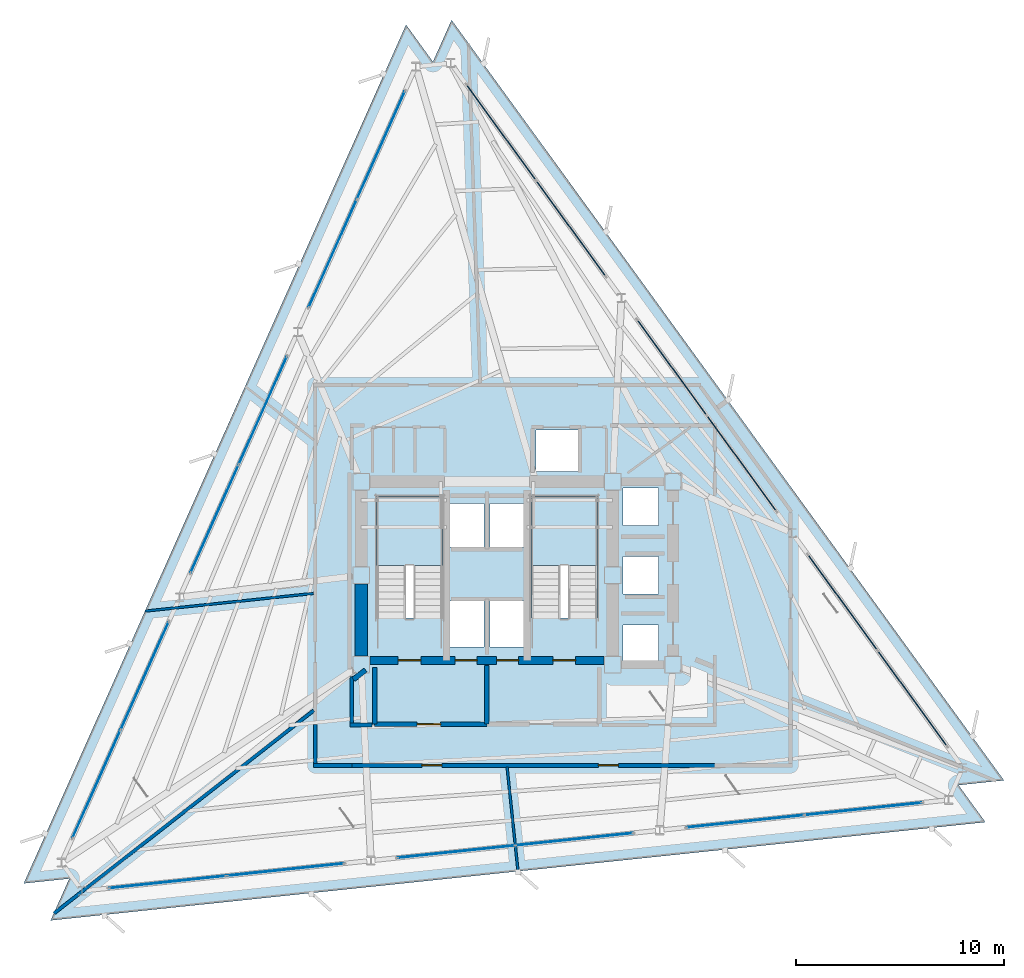
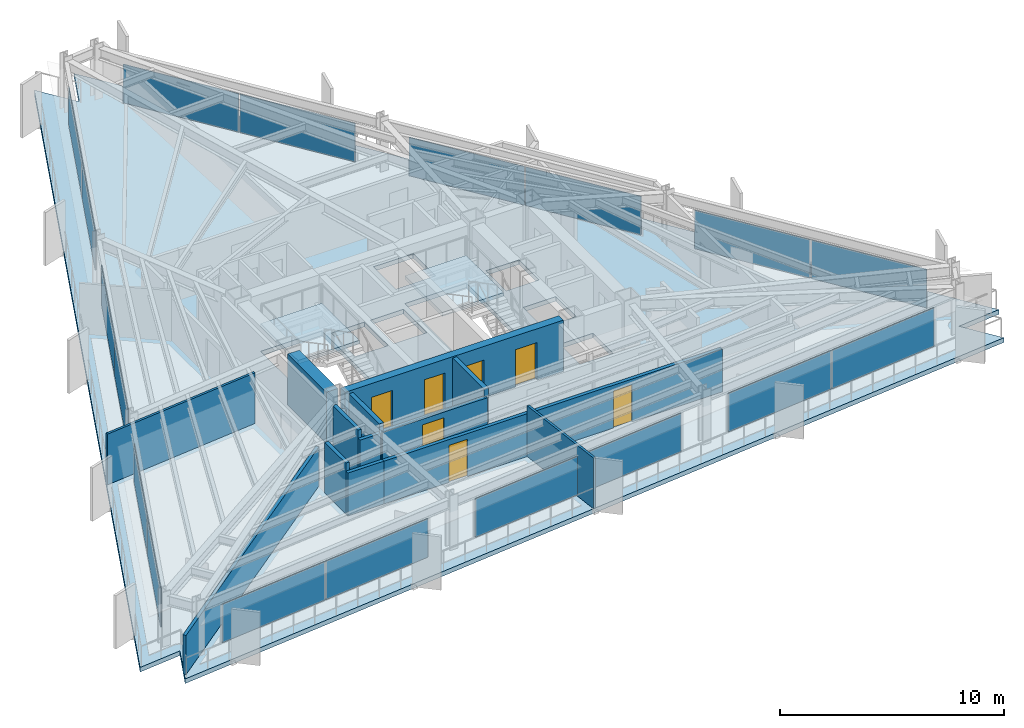
# One storey, part 7 of 12: 18 plates, 14 walls, 7 doors, 3 slabs, 7 openings, 11 elements without a shape of their own.
"""IFC4 building model written with IfcOpenShell, lengths in metres."""

import ifcopenshell
import ifcopenshell.guid

model = None  # the IFC model being written
_history = None  # IfcOwnerHistory: only IFC2X3 demands one
_inside = {}  # id of a spatial element -> (the spatial element, [elements in it])
_under = {}  # id of a project, library or spatial element -> (it, [spatial elements below it])
_declared = {}  # id of a project -> (the project, [libraries it declares])
_typed = {}  # id of a type object -> (the type object, [elements of that type])
_made_of = {}  # id of a material, layer set ... -> (it, [elements and type objects made of it])


def new_model(schema):
    """Start an empty IFC model of exactly this schema.

    Asked for "IFC4X3", IfcOpenShell would pick the latest addendum, in which some entities
    have other attributes; the version numbers below select the first issue.
    IFC2X3 requires an IfcOwnerHistory on every rooted entity: one is made here for all.
    """
    global model, _history
    if schema == "IFC4X3":
        model = ifcopenshell.file(schema_version=(4, 3, 0, 0))
    else:
        model = ifcopenshell.file(schema=schema)
    _inside.clear()
    _under.clear()
    _declared.clear()
    _typed.clear()
    _made_of.clear()
    _history = None
    if model.schema == "IFC2X3":
        org = make("IfcOrganization", Name="unknown")
        user = make(
            "IfcPersonAndOrganization",
            ThePerson=make("IfcPerson", FamilyName="unknown"),
            TheOrganization=org,
        )
        app = make(
            "IfcApplication",
            ApplicationDeveloper=org,
            Version="unknown",
            ApplicationFullName="unknown",
            ApplicationIdentifier="unknown",
        )
        _history = make(
            "IfcOwnerHistory",
            OwningUser=user,
            OwningApplication=app,
            ChangeAction="ADDED",
            CreationDate=0,
        )
    return model


def make(cls, **values):
    """One entity of the class cls with the attributes given. An attribute that is None is left unset."""
    return model.create_entity(
        cls, **{name: value for name, value in values.items() if value is not None}
    )


def rooted(cls, **values):
    """An entity with a GlobalId (a new one), such as an element, a storey or a relation."""
    return make(cls, GlobalId=ifcopenshell.guid.new(), OwnerHistory=_history, **values)


def si_unit(unit_type, name, prefix=None):
    """IfcSIUnit, for example si_unit("LENGTHUNIT", "METRE", prefix="MILLI")."""
    return make("IfcSIUnit", UnitType=unit_type, Prefix=prefix, Name=name)


def assignment(units):
    """IfcUnitAssignment: the units of a project."""
    return None if units is None else make("IfcUnitAssignment", Units=units)


def point(xyz):
    """IfcCartesianPoint."""
    return None if xyz is None else make("IfcCartesianPoint", Coordinates=xyz)


def direction(xyz):
    """IfcDirection."""
    return None if xyz is None else make("IfcDirection", DirectionRatios=xyz)


def frame(location, z_axis=None, x_axis=None):
    """IfcAxis2Placement3D, a coordinate frame: its origin and axes. An axis left out is left unset."""
    return make(
        "IfcAxis2Placement3D",
        Location=point(location),
        Axis=direction(z_axis),
        RefDirection=direction(x_axis),
    )


def frame_2d(location, x_axis=None):
    """IfcAxis2Placement2D, a coordinate frame in the plane: its origin and x axis."""
    return make(
        "IfcAxis2Placement2D", Location=point(location), RefDirection=direction(x_axis)
    )


def origin():
    """The frame at (0, 0, 0) with its axes left unset."""
    return frame((0.0, 0.0, 0.0))


def origin_2d():
    """The frame at (0, 0) in the plane with its x axis left unset."""
    return frame_2d((0.0, 0.0))


def place(relative_to, where):
    """IfcLocalPlacement: puts the frame where relative to a parent placement (None: the world)."""
    return make(
        "IfcLocalPlacement", PlacementRelTo=relative_to, RelativePlacement=where
    )


def context(
    kind, dimensions, precision=None, world=None, true_north=None, identifier=None
):
    """IfcGeometricRepresentationContext, for example the 3D "Model" context."""
    return make(
        "IfcGeometricRepresentationContext",
        ContextIdentifier=identifier,
        ContextType=kind,
        CoordinateSpaceDimension=dimensions,
        Precision=precision,
        WorldCoordinateSystem=world,
        TrueNorth=true_north,
    )


def subcontext(parent, identifier, kind, view, scale=None):
    """IfcGeometricRepresentationSubContext, for example "Body" below "Model"."""
    return make(
        "IfcGeometricRepresentationSubContext",
        ContextIdentifier=identifier,
        ContextType=kind,
        ParentContext=parent,
        TargetScale=scale,
        TargetView=view,
    )


def project(units=None, contexts=None):
    """IfcProject with its units and contexts."""
    return rooted(
        "IfcProject",
        Name="project",
        RepresentationContexts=contexts,
        UnitsInContext=assignment(units),
    )


def spatial(cls, under=None, at=None, **own):
    """A site, building, storey or space (cls), placed at a placement, below another one or the project."""
    s = rooted(cls, ObjectPlacement=at, **own)
    if under is not None:
        _under.setdefault(under.id(), (under, []))[1].append(s)
    return s


def polyline(points):
    """IfcPolyline through the points."""
    return make("IfcPolyline", Points=[point(p) for p in points])


def profile(cls, at=None, kind="AREA", **sizes):
    """A parametric profile (cls). Its sizes go by their IFC names, for example OverallWidth=200.0."""
    return make(cls, ProfileType=kind, Position=at, **sizes)


def rectangle(**sizes):
    """IfcRectangleProfileDef."""
    return profile("IfcRectangleProfileDef", **sizes)


def outline(outer, holes=None, kind="AREA"):
    """IfcArbitraryClosedProfileDef: a profile drawn as a closed curve; with holes, ...WithVoids."""
    if holes is None:
        return make("IfcArbitraryClosedProfileDef", ProfileType=kind, OuterCurve=outer)
    return make(
        "IfcArbitraryProfileDefWithVoids",
        ProfileType=kind,
        OuterCurve=outer,
        InnerCurves=holes,
    )


def extrude(swept, where, along, depth):
    """IfcExtrudedAreaSolid: the profile swept, set in the frame where, extruded along a direction by depth."""
    return make(
        "IfcExtrudedAreaSolid",
        SweptArea=swept,
        Position=where,
        ExtrudedDirection=direction(along),
        Depth=depth,
    )


def shape(context_of_items, identifier, shape_type, items):
    """IfcShapeRepresentation: the items that make up one representation, for example the "Body"."""
    return make(
        "IfcShapeRepresentation",
        ContextOfItems=context_of_items,
        RepresentationIdentifier=identifier,
        RepresentationType=shape_type,
        Items=items,
    )


def material(Name=None, Category=None):
    """IfcMaterial."""
    return make("IfcMaterial", Name=Name, Category=Category)


def layer(
    of_material, thickness, ventilated=None, Name=None, Category=None, Priority=None
):
    """IfcMaterialLayer: one layer of a wall or slab, of a material (None: an air gap)."""
    return make(
        "IfcMaterialLayer",
        Material=of_material,
        LayerThickness=thickness,
        IsVentilated=ventilated,
        Name=Name,
        Category=Category,
        Priority=Priority,
    )


def layer_set(layers, Name=None):
    """IfcMaterialLayerSet."""
    return make("IfcMaterialLayerSet", MaterialLayers=layers, LayerSetName=Name)


def made_of(thing, what):
    """Note that an element or type object is made of a material, layer set ...; save() writes the relation."""
    if what is not None:
        _made_of.setdefault(what.id(), (what, []))[1].append(thing)
    return thing


def type_object(cls, material=None, **own):
    """A type object (cls), such as IfcWallType, which elements share."""
    return made_of(rooted(cls, **own), material)


def element(
    cls,
    number,
    at=None,
    inside=None,
    cuts=None,
    type_object=None,
    material=None,
    context=None,
    identifier="Body",
    shape_type=None,
    held_by="IfcProductDefinitionShape",
    body=None,
    shapes=None,
    **own,
):
    """One element of the class cls, such as IfcWall. Its Tag is "e" and its number.

    at: its placement. inside: the storey or other place that contains it. cuts: it is an
    opening in that element (IfcRelVoidsElement). A single representation is given by context,
    identifier, shape_type and body (its items); several are given by shapes. held_by: the class
    of the entity that holds the representations. save() writes the other relations.
    """
    e = rooted(cls, Tag="e%d" % number, ObjectPlacement=at, **own)
    if body is not None:
        shapes = [shape(context, identifier, shape_type, body)]
    if shapes is not None:
        e.Representation = make(held_by, Representations=shapes)
    if inside is not None:
        _inside.setdefault(inside.id(), (inside, []))[1].append(e)
    if cuts is not None:
        rooted(
            "IfcRelVoidsElement", RelatingBuildingElement=cuts, RelatedOpeningElement=e
        )
    if type_object is not None:
        _typed.setdefault(type_object.id(), (type_object, []))[1].append(e)
    return made_of(e, material)


def fill(opening, filler):
    """IfcRelFillsElement: the door or window that sits in an opening."""
    return rooted(
        "IfcRelFillsElement",
        RelatingOpeningElement=opening,
        RelatedBuildingElement=filler,
    )


def aggregate(whole, parts):
    """IfcRelAggregates: a whole, such as a stair, and the parts it consists of."""
    return rooted("IfcRelAggregates", RelatingObject=whole, RelatedObjects=parts)


def save(model, path):
    """Write the relations noted so far, then the file.

    IfcRelAggregates (storeys below a building ...), IfcRelContainedInSpatialStructure (elements
    in a storey), IfcRelDefinesByType, IfcRelAssociatesMaterial and IfcRelDeclares: one each for
    every whole, place, type object, material and project.
    """
    for whole, parts in _under.values():
        aggregate(whole, parts)
    for where, things in _inside.values():
        rooted(
            "IfcRelContainedInSpatialStructure",
            RelatedElements=things,
            RelatingStructure=where,
        )
    for kind, things in _typed.values():
        rooted("IfcRelDefinesByType", RelatedObjects=things, RelatingType=kind)
    for what, things in _made_of.values():
        rooted("IfcRelAssociatesMaterial", RelatedObjects=things, RelatingMaterial=what)
    for by, libraries in _declared.values():
        rooted("IfcRelDeclares", RelatingContext=by, RelatedDefinitions=libraries)
    model.write(path)


model = new_model("IFC4")

# Units and contexts
model_context = context("Model", 3, precision=1e-05, world=origin(), true_north=direction((0.0, 1.0)))
body_context = subcontext(model_context, "Body", "Model", "MODEL_VIEW")
ifc_project = project(units=[si_unit("LENGTHUNIT", "METRE"), si_unit("AREAUNIT", "SQUARE_METRE"), si_unit("VOLUMEUNIT", "CUBIC_METRE"), si_unit("PLANEANGLEUNIT", "RADIAN"), si_unit("MASSUNIT", "GRAM", prefix="KILO")], contexts=[model_context])

# Site, building, storey
site_placement = place(None, origin())
site = spatial("IfcSite", under=ifc_project, at=site_placement, CompositionType="ELEMENT")
building_placement = place(site_placement, origin())
building = spatial("IfcBuilding", under=site, at=building_placement, Name="Rocaltana Carrier Exchange", CompositionType="ELEMENT")
storey_placement = place(building_placement, frame((0.0, 0.0, 107.679931640625)))
storey = spatial("IfcBuildingStorey", under=building, at=storey_placement, Name="L33", CompositionType="ELEMENT", Elevation=107.679931640625)

# Curtain wall, plates
ifc_material_1 = material(Name="Aluminium 6063-T6", Category="aluminium")
ifc_layer_1 = layer(ifc_material_1, 0.14990234375)
ifc_layer_set_1 = layer_set([ifc_layer_1], Name="Aluminium 6063-T6")
curtain_wall_type = type_object("IfcCurtainWallType", Name="Mid-Tower Unitised Curtain Wall CW-03", PredefinedType="NOTDEFINED", material=ifc_layer_set_1)
curtain_wall_1_placement = place(storey_placement, origin())
curtain_wall_1 = element("IfcCurtainWall", 1, at=curtain_wall_1_placement, inside=storey, type_object=curtain_wall_type, Name="L33 CW-03 Run CW-L33-F1S1", PredefinedType="NOTDEFINED")
ifc_material_2 = material(Name="Tempered Laminated Glass", Category="glass")
ifc_layer_2 = layer(ifc_material_2, 0.0400390625)
ifc_layer_set_2 = layer_set([ifc_layer_2], Name="Tempered Laminated Glass")
plate_type = type_object("IfcPlateType", Name="CW-03 Stone-Insulated Vision Panel", PredefinedType="CURTAIN_PANEL", material=ifc_layer_set_2)
plate_1_placement = place(storey_placement, frame((20.4580078125, -5.925048828125, 0.06005859375), z_axis=(0.0, 0.0, 1.0), x_axis=(-0.587789985889, 0.809013555195, 0.0)))
plate_1 = element("IfcPlate", 2, at=plate_1_placement, type_object=plate_type, Name="CW-03 panel 1.1", PredefinedType="CURTAIN_PANEL", context=body_context, shape_type="SweptSolid", body=[
    extrude(rectangle(XDim=5.643310546875, YDim=0.0400390625, at=origin_2d()), origin(), (0.0, 0.0, 1.0), 2.097900390625),
])
plate_2_placement = place(storey_placement, frame((17.105712890625, -1.310791015625, 0.06005859375), z_axis=(0.0, 0.0, 1.0), x_axis=(-0.587789985889, 0.809013555195, 0.0)))
plate_2 = element("IfcPlate", 3, at=plate_2_placement, type_object=plate_type, Name="CW-03 panel 2.1", PredefinedType="CURTAIN_PANEL", context=body_context, shape_type="SweptSolid", body=[
    extrude(rectangle(XDim=5.643310546875, YDim=0.0400390625, at=origin_2d()), origin(), (0.0, 0.0, 1.0), 2.097900390625),
])
aggregate(curtain_wall_1, [plate_1, plate_2])

curtain_wall_2_placement = place(storey_placement, origin())
curtain_wall_2 = element("IfcCurtainWall", 4, at=curtain_wall_2_placement, inside=storey, type_object=curtain_wall_type, Name="L33 CW-03 Run CW-L33-F1S2", PredefinedType="NOTDEFINED")
plate_3_placement = place(storey_placement, frame((12.248779296875, 5.374267578125, 0.06005859375), z_axis=(0.0, 0.0, 1.0), x_axis=(-0.587789985889, 0.809013555195, 0.0)))
plate_3 = element("IfcPlate", 5, at=plate_3_placement, type_object=plate_type, Name="CW-03 panel 1.1", PredefinedType="CURTAIN_PANEL", context=body_context, shape_type="SweptSolid", body=[
    extrude(rectangle(XDim=5.643310546875, YDim=0.0400390625, at=origin_2d()), origin(), (0.0, 0.0, 1.0), 2.097900390625),
])
plate_4_placement = place(storey_placement, frame((8.896240234375, 9.98828125, 0.06005859375), z_axis=(0.0, 0.0, 1.0), x_axis=(-0.587789985889, 0.809013555195, 0.0)))
plate_4 = element("IfcPlate", 6, at=plate_4_placement, type_object=plate_type, Name="CW-03 panel 2.1", PredefinedType="CURTAIN_PANEL", context=body_context, shape_type="SweptSolid", body=[
    extrude(rectangle(XDim=5.643310546875, YDim=0.0400390625, at=origin_2d()), origin(), (0.0, 0.0, 1.0), 2.097900390625),
])
aggregate(curtain_wall_2, [plate_3, plate_4])

curtain_wall_3_placement = place(storey_placement, origin())
curtain_wall_3 = element("IfcCurtainWall", 7, at=curtain_wall_3_placement, inside=storey, type_object=curtain_wall_type, Name="L33 CW-03 Run CW-L33-F1S3", PredefinedType="NOTDEFINED")
plate_5_placement = place(storey_placement, frame((4.039306640625, 16.673583984375, 0.06005859375), z_axis=(0.0, 0.0, 1.0), x_axis=(-0.587789985889, 0.809013555195, 0.0)))
plate_5 = element("IfcPlate", 8, at=plate_5_placement, type_object=plate_type, Name="CW-03 panel 1.1", PredefinedType="CURTAIN_PANEL", context=body_context, shape_type="SweptSolid", body=[
    extrude(rectangle(XDim=5.643310546875, YDim=0.0400390625, at=origin_2d()), origin(), (0.0, 0.0, 1.0), 2.097900390625),
])
plate_6_placement = place(storey_placement, frame((0.68701171875, 21.28759765625, 0.06005859375), z_axis=(0.0, 0.0, 1.0), x_axis=(-0.587789985889, 0.809013555195, 0.0)))
plate_6 = element("IfcPlate", 9, at=plate_6_placement, type_object=plate_type, Name="CW-03 panel 2.1", PredefinedType="CURTAIN_PANEL", context=body_context, shape_type="SweptSolid", body=[
    extrude(rectangle(XDim=5.643310546875, YDim=0.0400390625, at=origin_2d()), origin(), (0.0, 0.0, 1.0), 2.097900390625),
])
aggregate(curtain_wall_3, [plate_5, plate_6])

curtain_wall_4_placement = place(storey_placement, origin())
curtain_wall_4 = element("IfcCurtainWall", 10, at=curtain_wall_4_placement, inside=storey, type_object=curtain_wall_type, Name="L33 CW-03 Run CW-L33-F2S1", PredefinedType="NOTDEFINED")
plate_7_placement = place(storey_placement, frame((-5.097900390625, 20.6796875, 0.06005859375), z_axis=(0.0, 0.0, 1.0), x_axis=(-0.406740386206, -0.913543791084, 0.0)))
plate_7 = element("IfcPlate", 11, at=plate_7_placement, type_object=plate_type, Name="CW-03 panel 1.1", PredefinedType="CURTAIN_PANEL", context=body_context, shape_type="SweptSolid", body=[
    extrude(rectangle(XDim=5.643310546875, YDim=0.0400390625, at=origin_2d()), origin(), (0.0, 0.0, 1.0), 2.097900390625),
])
plate_8_placement = place(storey_placement, frame((-7.41748046875, 15.46923828125, 0.06005859375), z_axis=(0.0, 0.0, 1.0), x_axis=(-0.406740386206, -0.913543791084, 0.0)))
plate_8 = element("IfcPlate", 12, at=plate_8_placement, type_object=plate_type, Name="CW-03 panel 2.1", PredefinedType="CURTAIN_PANEL", context=body_context, shape_type="SweptSolid", body=[
    extrude(rectangle(XDim=5.643310546875, YDim=0.0400390625, at=origin_2d()), origin(), (0.0, 0.0, 1.0), 2.097900390625),
])
aggregate(curtain_wall_4, [plate_7, plate_8])

curtain_wall_5_placement = place(storey_placement, origin())
curtain_wall_5 = element("IfcCurtainWall", 13, at=curtain_wall_5_placement, inside=storey, type_object=curtain_wall_type, Name="L33 CW-03 Run CW-L33-F2S2", PredefinedType="NOTDEFINED")
plate_9_placement = place(storey_placement, frame((-10.778564453125, 7.92041015625, 0.06005859375), z_axis=(0.0, 0.0, 1.0), x_axis=(-0.406743626669, -0.913542348315, 0.0)))
plate_9 = element("IfcPlate", 14, at=plate_9_placement, type_object=plate_type, Name="CW-03 panel 1.1", PredefinedType="CURTAIN_PANEL", context=body_context, shape_type="SweptSolid", body=[
    extrude(rectangle(XDim=5.643310546875, YDim=0.0400390625, at=origin_2d()), origin(), (0.0, 0.0, 1.0), 2.097900390625),
])
plate_10_placement = place(storey_placement, frame((-13.098388671875, 2.710205078125, 0.06005859375), z_axis=(0.0, 0.0, 1.0), x_axis=(-0.406743626669, -0.913542348315, 0.0)))
plate_10 = element("IfcPlate", 15, at=plate_10_placement, type_object=plate_type, Name="CW-03 panel 2.1", PredefinedType="CURTAIN_PANEL", context=body_context, shape_type="SweptSolid", body=[
    extrude(rectangle(XDim=5.643310546875, YDim=0.0400390625, at=origin_2d()), origin(), (0.0, 0.0, 1.0), 2.097900390625),
])
aggregate(curtain_wall_5, [plate_9, plate_10])

curtain_wall_6_placement = place(storey_placement, origin())
curtain_wall_6 = element("IfcCurtainWall", 16, at=curtain_wall_6_placement, inside=storey, type_object=curtain_wall_type, Name="L33 CW-03 Run CW-L33-F2S3", PredefinedType="NOTDEFINED")
plate_11_placement = place(storey_placement, frame((-16.45947265625, -4.838623046875, 0.06005859375), z_axis=(0.0, 0.0, 1.0), x_axis=(-0.406733108077, -0.913547031517, 0.0)))
plate_11 = element("IfcPlate", 17, at=plate_11_placement, type_object=plate_type, Name="CW-03 panel 1.1", PredefinedType="CURTAIN_PANEL", context=body_context, shape_type="SweptSolid", body=[
    extrude(rectangle(XDim=5.643310546875, YDim=0.0400390625, at=origin_2d()), origin(), (0.0, 0.0, 1.0), 2.097900390625),
])
plate_12_placement = place(storey_placement, frame((-18.779052734375, -10.048828125, 0.06005859375), z_axis=(0.0, 0.0, 1.0), x_axis=(-0.406733108077, -0.913547031517, 0.0)))
plate_12 = element("IfcPlate", 18, at=plate_12_placement, type_object=plate_type, Name="CW-03 panel 2.1", PredefinedType="CURTAIN_PANEL", context=body_context, shape_type="SweptSolid", body=[
    extrude(rectangle(XDim=5.643310546875, YDim=0.0400390625, at=origin_2d()), origin(), (0.0, 0.0, 1.0), 2.097900390625),
])
aggregate(curtain_wall_6, [plate_11, plate_12])

curtain_wall_7_placement = place(storey_placement, origin())
curtain_wall_7 = element("IfcCurtainWall", 19, at=curtain_wall_7_placement, inside=storey, type_object=curtain_wall_type, Name="L33 CW-03 Run CW-L33-F3S1", PredefinedType="NOTDEFINED")
plate_13_placement = place(storey_placement, frame((-15.360107421875, -14.754638671875, 0.06005859375), z_axis=(0.0, 0.0, 1.0), x_axis=(0.994522594952, 0.104521806959, 0.0)))
plate_13 = element("IfcPlate", 20, at=plate_13_placement, type_object=plate_type, Name="CW-03 panel 1.1", PredefinedType="CURTAIN_PANEL", context=body_context, shape_type="SweptSolid", body=[
    extrude(rectangle(XDim=5.643310546875, YDim=0.0400390625, at=origin_2d()), origin(), (0.0, 0.0, 1.0), 2.097900390625),
])
plate_14_placement = place(storey_placement, frame((-9.688232421875, -14.15869140625, 0.06005859375), z_axis=(0.0, 0.0, 1.0), x_axis=(0.994522594952, 0.104521806959, 0.0)))
plate_14 = element("IfcPlate", 21, at=plate_14_placement, type_object=plate_type, Name="CW-03 panel 2.1", PredefinedType="CURTAIN_PANEL", context=body_context, shape_type="SweptSolid", body=[
    extrude(rectangle(XDim=5.643310546875, YDim=0.0400390625, at=origin_2d()), origin(), (0.0, 0.0, 1.0), 2.097900390625),
])
aggregate(curtain_wall_7, [plate_13, plate_14])

curtain_wall_8_placement = place(storey_placement, origin())
curtain_wall_8 = element("IfcCurtainWall", 22, at=curtain_wall_8_placement, inside=storey, type_object=curtain_wall_type, Name="L33 CW-03 Run CW-L33-F3S2", PredefinedType="NOTDEFINED")
plate_15_placement = place(storey_placement, frame((-1.469970703125, -13.294677734375, 0.06005859375), z_axis=(0.0, 0.0, 1.0), x_axis=(0.994521783658, 0.104529526113, 0.0)))
plate_15 = element("IfcPlate", 23, at=plate_15_placement, type_object=plate_type, Name="CW-03 panel 1.1", PredefinedType="CURTAIN_PANEL", context=body_context, shape_type="SweptSolid", body=[
    extrude(rectangle(XDim=5.643310546875, YDim=0.0400390625, at=origin_2d()), origin(), (0.0, 0.0, 1.0), 2.097900390625),
])
plate_16_placement = place(storey_placement, frame((4.2021484375, -12.69873046875, 0.06005859375), z_axis=(0.0, 0.0, 1.0), x_axis=(0.994521783658, 0.104529526113, 0.0)))
plate_16 = element("IfcPlate", 24, at=plate_16_placement, type_object=plate_type, Name="CW-03 panel 2.1", PredefinedType="CURTAIN_PANEL", context=body_context, shape_type="SweptSolid", body=[
    extrude(rectangle(XDim=5.643310546875, YDim=0.0400390625, at=origin_2d()), origin(), (0.0, 0.0, 1.0), 2.097900390625),
])
aggregate(curtain_wall_8, [plate_15, plate_16])

curtain_wall_9_placement = place(storey_placement, origin())
curtain_wall_9 = element("IfcCurtainWall", 25, at=curtain_wall_9_placement, inside=storey, type_object=curtain_wall_type, Name="L33 CW-03 Run CW-L33-F3S3", PredefinedType="NOTDEFINED")
plate_17_placement = place(storey_placement, frame((12.420166015625, -11.834716796875, 0.06005859375), z_axis=(0.0, 0.0, 1.0), x_axis=(0.994522594952, 0.104521806959, 0.0)))
plate_17 = element("IfcPlate", 26, at=plate_17_placement, type_object=plate_type, Name="CW-03 panel 1.1", PredefinedType="CURTAIN_PANEL", context=body_context, shape_type="SweptSolid", body=[
    extrude(rectangle(XDim=5.643310546875, YDim=0.0400390625, at=origin_2d()), origin(), (0.0, 0.0, 1.0), 2.097900390625),
])
plate_18_placement = place(storey_placement, frame((18.092041015625, -11.23876953125, 0.06005859375), z_axis=(0.0, 0.0, 1.0), x_axis=(0.994522594952, 0.104521806959, 0.0)))
plate_18 = element("IfcPlate", 27, at=plate_18_placement, type_object=plate_type, Name="CW-03 panel 2.1", PredefinedType="CURTAIN_PANEL", context=body_context, shape_type="SweptSolid", body=[
    extrude(rectangle(XDim=5.643310546875, YDim=0.0400390625, at=origin_2d()), origin(), (0.0, 0.0, 1.0), 2.097900390625),
])
aggregate(curtain_wall_9, [plate_17, plate_18])

# Slab
ifc_material_3 = material(Name="Concrete C50/60", Category="concrete")
ifc_layer_3 = layer(ifc_material_3, 0.25)
ifc_layer_set_3 = layer_set([ifc_layer_3], Name="Concrete C50/60")
slab_type_1 = type_object("IfcSlabType", Name="Mid-Zone Tower Slab 250", PredefinedType="FLOOR", material=ifc_layer_set_3)
slab_1_placement = place(storey_placement, frame((0.0, 0.0, -0.25)))
element("IfcSlab", 28, at=slab_1_placement, inside=storey, type_object=slab_type_1, Name="L33 Structural Floor Slab", PredefinedType="FLOOR", context=body_context, shape_type="SweptSolid", body=[
    extrude(outline(polyline([(23.972900390625, -11.87744140625), (22.6796875, -10.09765625), (24.86767578125, -9.86767578125), (-1.7001953125, 26.699951171875), (-2.594970703125, 24.690185546875), (-3.88818359375, 26.469970703125), (-22.272705078125, -14.822509765625), (-20.084716796875, -14.59228515625), (-20.9794921875, -16.602294921875), (23.972900390625, -11.87744140625)]), holes=[polyline([(-5.300048828125, -2.06005859375), (-2.139892578125, -2.06005859375), (-2.139892578125, 3.800048828125), (-5.300048828125, 3.800048828125), (-5.300048828125, -2.06005859375)]), polyline([(2.139892578125, -2.06005859375), (5.300048828125, -2.06005859375), (5.300048828125, 3.800048828125), (2.139892578125, 3.800048828125), (2.139892578125, -2.06005859375)]), polyline([(-1.85009765625, -3.449951171875), (-0.14990234375, -3.449951171875), (-0.14990234375, -1.25), (-1.85009765625, -1.25), (-1.85009765625, -3.449951171875)]), polyline([(0.14990234375, -3.449951171875), (1.85009765625, -3.449951171875), (1.85009765625, -1.25), (0.14990234375, -1.25), (0.14990234375, -3.449951171875)]), polyline([(2.35009765625, 4.97998046875), (4.39990234375, 4.97998046875), (4.39990234375, 6.97998046875), (2.35009765625, 6.97998046875), (2.35009765625, 4.97998046875)]), polyline([(-1.85009765625, 1.35009765625), (-0.14990234375, 1.35009765625), (-0.14990234375, 3.449951171875), (-1.85009765625, 3.449951171875), (-1.85009765625, 1.35009765625)]), polyline([(0.14990234375, 1.35009765625), (1.85009765625, 1.35009765625), (1.85009765625, 3.449951171875), (0.14990234375, 3.449951171875), (0.14990234375, 1.35009765625)]), polyline([(6.550048828125, -4.199951171875), (8.25, -4.199951171875), (8.25, -2.39990234375), (6.550048828125, -2.39990234375), (6.550048828125, -4.199951171875)]), polyline([(6.550048828125, -0.89990234375), (8.25, -0.89990234375), (8.25, 0.89990234375), (6.550048828125, 0.89990234375), (6.550048828125, -0.89990234375)]), polyline([(6.550048828125, 2.39990234375), (8.25, 2.39990234375), (8.25, 4.199951171875), (6.550048828125, 4.199951171875), (6.550048828125, 2.39990234375)])]), origin(), (0.0, 0.0, 1.0), 0.25),
])

# Stair, slab
ifc_material_4 = material(Name="Precast concrete C45/55", Category="concrete")
stair_type = type_object("IfcStairType", Name="Standard Dog-Leg Stair 160", PredefinedType="HALF_TURN_STAIR", material=ifc_material_4)
stair_1_placement = place(storey_placement, origin())
stair_1 = element("IfcStair", 29, at=stair_1_placement, inside=storey, type_object=stair_type, Name="L33 Core West Exit Stair ST-1", PredefinedType="HALF_TURN_STAIR")
ifc_material_5 = material(Name="Precast concrete C45/55", Category="concrete")
ifc_layer_4 = layer(ifc_material_5, 0.199951171875)
ifc_layer_set_4 = layer_set([ifc_layer_4], Name="Precast concrete C45/55")
slab_type_2 = type_object("IfcSlabType", Name="Precast Stair Half-Landing 200", PredefinedType="LANDING", material=ifc_layer_set_4)
slab_2_placement = place(storey_placement, frame((0.0, 0.0, 1.320068359375)))
slab_2 = element("IfcSlab", 30, at=slab_2_placement, type_object=slab_type_2, Name="ST-1 landing 1", PredefinedType="LANDING", context=body_context, shape_type="SweptSolid", body=[
    extrude(outline(polyline([(-2.139892578125, 0.4599609375), (-2.139892578125, 3.800048828125), (-5.300048828125, 3.800048828125), (-5.300048828125, 0.4599609375), (-2.139892578125, 0.4599609375)])), origin(), (0.0, 0.0, 1.0), 0.199951171875),
])
aggregate(stair_1, [slab_2])

stair_2_placement = place(storey_placement, origin())
stair_2 = element("IfcStair", 31, at=stair_2_placement, inside=storey, type_object=stair_type, Name="L33 Core East Exit Stair ST-2", PredefinedType="HALF_TURN_STAIR")
slab_3_placement = place(storey_placement, frame((0.0, 0.0, 1.320068359375)))
slab_3 = element("IfcSlab", 32, at=slab_3_placement, type_object=slab_type_2, Name="ST-2 landing 1", PredefinedType="LANDING", context=body_context, shape_type="SweptSolid", body=[
    extrude(outline(polyline([(5.300048828125, 0.4599609375), (5.300048828125, 3.800048828125), (2.139892578125, 3.800048828125), (2.139892578125, 0.4599609375), (5.300048828125, 0.4599609375)])), origin(), (0.0, 0.0, 1.0), 0.199951171875),
])
aggregate(stair_2, [slab_3])

# Wall
ifc_material_6 = material(Name="Double Acoustic Gypsum Partition", Category="gypsum")
ifc_layer_5 = layer(ifc_material_6, 0.159912109375)
ifc_layer_set_5 = layer_set([ifc_layer_5], Name="Double Acoustic Gypsum Partition")
wall_type_1 = type_object("IfcWallType", Name="Acoustic Studio Partition 160 EI60", PredefinedType="PARTITIONING", material=ifc_layer_set_5)
wall_1_placement = place(storey_placement, frame((-8.330078125, -6.508056640625, 0.0), z_axis=(0.0, 0.0, 1.0), x_axis=(-0.788011528275, -0.615660483794, 0.0)))
element("IfcWall", 33, at=wall_1_placement, inside=storey, type_object=wall_type_1, Name="L33 Suite Divider Wall D3", PredefinedType="PARTITIONING", context=body_context, shape_type="SweptSolid", body=[
    extrude(rectangle(XDim=15.84814453125, YDim=0.159912109375, at=frame_2d((7.924072265625, 0.0))), origin(), (0.0, 0.0, 1.0), 2.132080078125),
])

# Wall, openings, doors
ifc_material_7 = material(Name="Concrete C50/60", Category="concrete")
ifc_layer_6 = layer(ifc_material_7, 0.39990234375)
ifc_layer_set_6 = layer_set([ifc_layer_6], Name="Concrete C50/60")
wall_type_2 = type_object("IfcWallType", Name="Core Internal Shear Wall 400", PredefinedType="SHEAR", material=ifc_layer_set_6)
wall_2_placement = place(storey_placement, frame((-5.625, -4.10009765625, 0.0), z_axis=(0.0, 0.0, 1.0), x_axis=(1.0, 0.0, 0.0)))
wall_2 = element("IfcWall", 34, at=wall_2_placement, inside=storey, type_object=wall_type_2, Name="L33 Core Shear Wall CW-S", PredefinedType="SHEAR", context=body_context, shape_type="SweptSolid", body=[
    extrude(rectangle(XDim=11.25, YDim=0.39990234375, at=frame_2d((5.625, 0.0))), origin(), (0.0, 0.0, 1.0), 2.7880859375),
])
opening_1_placement = place(wall_2_placement, frame((1.35498046875, 0.0, 0.0)))
opening_1 = element("IfcOpeningElement", 35, at=opening_1_placement, cuts=wall_2, Name="Opening D-ST110", PredefinedType="OPENING", context=body_context, shape_type="SweptSolid", body=[
    extrude(rectangle(XDim=1.10009765625, YDim=2.0400390625, at=frame_2d((0.550048828125, 1.02001953125))), frame((0.0, 0.2099609375, 0.0), z_axis=(0.0, -1.0, 0.0), x_axis=(1.0, 0.0, 0.0)), (0.0, 0.0, 1.0), 0.419921875),
])
opening_2_placement = place(wall_2_placement, frame((8.794921875, 0.0, 0.0)))
opening_2 = element("IfcOpeningElement", 36, at=opening_2_placement, cuts=wall_2, Name="Opening D-ST110", PredefinedType="OPENING", context=body_context, shape_type="SweptSolid", body=[
    extrude(rectangle(XDim=1.10009765625, YDim=2.0400390625, at=frame_2d((0.550048828125, 1.02001953125))), frame((0.0, 0.2099609375, 0.0), z_axis=(0.0, -1.0, 0.0), x_axis=(1.0, 0.0, 0.0)), (0.0, 0.0, 1.0), 0.419921875),
])
opening_3_placement = place(wall_2_placement, frame((4.094970703125, 0.0, 0.0)))
opening_3 = element("IfcOpeningElement", 37, at=opening_3_placement, cuts=wall_2, Name="Opening LD-110", PredefinedType="OPENING", context=body_context, shape_type="SweptSolid", body=[
    extrude(rectangle(XDim=1.06005859375, YDim=2.0400390625, at=frame_2d((0.530029296875, 1.02001953125))), frame((0.0, 0.2099609375, 0.0), z_axis=(0.0, -1.0, 0.0), x_axis=(1.0, 0.0, 0.0)), (0.0, 0.0, 1.0), 0.419921875),
])
opening_4_placement = place(wall_2_placement, frame((6.094970703125, 0.0, 0.0)))
opening_4 = element("IfcOpeningElement", 38, at=opening_4_placement, cuts=wall_2, Name="Opening LD-110", PredefinedType="OPENING", context=body_context, shape_type="SweptSolid", body=[
    extrude(rectangle(XDim=1.06005859375, YDim=2.0400390625, at=frame_2d((0.530029296875, 1.02001953125))), frame((0.0, 0.2099609375, 0.0), z_axis=(0.0, -1.0, 0.0), x_axis=(1.0, 0.0, 0.0)), (0.0, 0.0, 1.0), 0.419921875),
])
ifc_material_8 = material(Name="Hollow Metal Fire Door Assembly", Category="steel")
door_type_1 = type_object("IfcDoorType", Name="Exit Stair Fire Door 1100x2040 FD90S", OperationType="NOTDEFINED", PredefinedType="DOOR", material=ifc_material_8)
door_1_placement = place(opening_1_placement, origin())
door_1 = element("IfcDoor", 39, at=door_1_placement, inside=storey, type_object=door_type_1, Name="L33 Exit Stair ST1 Fire Door", OperationType="SINGLE_SWING_LEFT", OverallHeight=2.0400390625, OverallWidth=1.10009765625, PredefinedType="DOOR", context=body_context, shape_type="SweptSolid", body=[
    extrude(rectangle(XDim=1.10009765625, YDim=2.0400390625, at=frame_2d((0.550048828125, 1.02001953125))), frame((0.0, 0.02490234375, 0.0), z_axis=(0.0, -1.0, 0.0), x_axis=(1.0, 0.0, 0.0)), (0.0, 0.0, 1.0), 0.050048828125),
])
fill(opening_1, door_1)
door_2_placement = place(opening_2_placement, origin())
door_2 = element("IfcDoor", 40, at=door_2_placement, inside=storey, type_object=door_type_1, Name="L33 Exit Stair ST2 Fire Door", OperationType="SINGLE_SWING_RIGHT", OverallHeight=2.0400390625, OverallWidth=1.10009765625, PredefinedType="DOOR", context=body_context, shape_type="SweptSolid", body=[
    extrude(rectangle(XDim=1.10009765625, YDim=2.0400390625, at=frame_2d((0.550048828125, 1.02001953125))), frame((0.0, 0.02490234375, 0.0), z_axis=(0.0, -1.0, 0.0), x_axis=(1.0, 0.0, 0.0)), (0.0, 0.0, 1.0), 0.050048828125),
])
fill(opening_2, door_2)
ifc_material_9 = material(Name="Brushed Stainless Sliding Door Leaf", Category="steel")
door_type_2 = type_object("IfcDoorType", Name="Lift Landing Sliding Door 1060x2040", OperationType="NOTDEFINED", PredefinedType="DOOR", material=ifc_material_9)
door_3_placement = place(opening_3_placement, origin())
door_3 = element("IfcDoor", 41, at=door_3_placement, inside=storey, type_object=door_type_2, Name="L33 Firefighting Lift FFL1 Landing Door", OperationType="SLIDING_TO_LEFT", OverallHeight=2.0400390625, OverallWidth=1.06005859375, PredefinedType="DOOR", context=body_context, shape_type="SweptSolid", body=[
    extrude(rectangle(XDim=1.06005859375, YDim=2.0400390625, at=frame_2d((0.530029296875, 1.02001953125))), frame((0.0, 0.02490234375, 0.0), z_axis=(0.0, -1.0, 0.0), x_axis=(1.0, 0.0, 0.0)), (0.0, 0.0, 1.0), 0.050048828125),
])
fill(opening_3, door_3)
door_4_placement = place(opening_4_placement, origin())
door_4 = element("IfcDoor", 42, at=door_4_placement, inside=storey, type_object=door_type_2, Name="L33 Firefighting Lift FFL2 Landing Door", OperationType="SLIDING_TO_RIGHT", OverallHeight=2.0400390625, OverallWidth=1.06005859375, PredefinedType="DOOR", context=body_context, shape_type="SweptSolid", body=[
    extrude(rectangle(XDim=1.06005859375, YDim=2.0400390625, at=frame_2d((0.530029296875, 1.02001953125))), frame((0.0, 0.02490234375, 0.0), z_axis=(0.0, -1.0, 0.0), x_axis=(1.0, 0.0, 0.0)), (0.0, 0.0, 1.0), 0.050048828125),
])
fill(opening_4, door_4)

# Walls
ifc_material_10 = material(Name="Concrete C50/60", Category="concrete")
ifc_layer_7 = layer(ifc_material_10, 0.60009765625)
ifc_layer_set_7 = layer_set([ifc_layer_7], Name="Concrete C50/60")
wall_type_3 = type_object("IfcWallType", Name="Core Shear Wall 600", PredefinedType="SHEAR", material=ifc_layer_set_7)
wall_3_placement = place(storey_placement, frame((-6.050048828125, -3.875, 0.0), z_axis=(0.0, 0.0, 1.0), x_axis=(0.0, 1.0, 0.0)))
element("IfcWall", 43, at=wall_3_placement, inside=storey, type_object=wall_type_3, Name="L33 Core Shear Wall CW-WS", PredefinedType="SHEAR", context=body_context, shape_type="SweptSolid", body=[
    extrude(rectangle(XDim=3.449951171875, YDim=0.60009765625, at=frame_2d((1.72509765625, 0.0))), origin(), (0.0, 0.0, 1.0), 2.7880859375),
])
ifc_material_11 = material(Name="Gypsum & Steel Stud Partition", Category="steel")
ifc_layer_8 = layer(ifc_material_11, 0.179931640625)
ifc_layer_set_8 = layer_set([ifc_layer_8], Name="Gypsum & Steel Stud Partition")
wall_type_4 = type_object("IfcWallType", Name="Corridor Fire Partition 180 EI60", PredefinedType="PARTITIONING", material=ifc_layer_set_8)
wall_4_placement = place(storey_placement, frame((-6.47998046875, -9.14990234375, 0.0), z_axis=(0.0, 0.0, 1.0), x_axis=(-1.0, 0.0, 0.0)))
element("IfcWall", 44, at=wall_4_placement, inside=storey, type_object=wall_type_4, Name="L33 Corridor Partition 1", PredefinedType="PARTITIONING", context=body_context, shape_type="SweptSolid", body=[
    extrude(rectangle(XDim=1.860107421875, YDim=0.179931640625, at=frame_2d((0.93017578125, 0.0))), origin(), (0.0, 0.0, 1.0), 2.330078125),
])
wall_5_placement = place(storey_placement, frame((-8.25, -9.06005859375, 0.0), z_axis=(0.0, 0.0, 1.0), x_axis=(0.0, 1.0, 0.0)))
element("IfcWall", 45, at=wall_5_placement, inside=storey, type_object=wall_type_4, Name="L33 Corridor Partition 2", PredefinedType="PARTITIONING", context=body_context, shape_type="SweptSolid", body=[
    extrude(rectangle(XDim=1.880126953125, YDim=0.179931640625, at=frame_2d((0.93994140625, 0.0))), origin(), (0.0, 0.0, 1.0), 2.76318359375),
])

# Wall, openings, doors
wall_6_placement = place(storey_placement, frame((10.97998046875, -9.14990234375, 0.0), z_axis=(0.0, 0.0, 1.0), x_axis=(-1.0, 0.0, 0.0)))
wall_6 = element("IfcWall", 46, at=wall_6_placement, inside=storey, type_object=wall_type_4, Name="L33 Corridor Partition 11", PredefinedType="PARTITIONING", context=body_context, shape_type="SweptSolid", body=[
    extrude(rectangle(XDim=17.5, YDim=0.179931640625, at=frame_2d((8.75, 0.0))), origin(), (0.0, 0.0, 1.0), 2.330078125),
])
opening_5_placement = place(wall_6_placement, frame((13.14501953125, 0.0, 0.0)))
opening_5 = element("IfcOpeningElement", 47, at=opening_5_placement, cuts=wall_6, Name="Opening D-RM098", PredefinedType="OPENING", context=body_context, shape_type="SweptSolid", body=[
    extrude(rectangle(XDim=0.9599609375, YDim=2.02001953125, at=frame_2d((0.47998046875, 1.010009765625))), frame((0.0, 0.099853515625, 0.0), z_axis=(0.0, -1.0, 0.0), x_axis=(1.0, 0.0, 0.0)), (0.0, 0.0, 1.0), 0.199951171875),
])
opening_6_placement = place(wall_6_placement, frame((4.65478515625, 0.0, 0.0)))
opening_6 = element("IfcOpeningElement", 48, at=opening_6_placement, cuts=wall_6, Name="Opening D-RM098", PredefinedType="OPENING", context=body_context, shape_type="SweptSolid", body=[
    extrude(rectangle(XDim=0.9599609375, YDim=2.02001953125, at=frame_2d((0.47998046875, 1.010009765625))), frame((0.0, 0.099853515625, 0.0), z_axis=(0.0, -1.0, 0.0), x_axis=(1.0, 0.0, 0.0)), (0.0, 0.0, 1.0), 0.199951171875),
])
ifc_material_12 = material(Name="Engineered Hardwood Timber", Category="wood")
door_type_3 = type_object("IfcDoorType", Name="Workspace Single Door 960x2020", OperationType="NOTDEFINED", PredefinedType="DOOR", material=ifc_material_12)
door_5_placement = place(opening_5_placement, origin())
door_5 = element("IfcDoor", 49, at=door_5_placement, inside=storey, type_object=door_type_3, Name="L33 Network Operations Office Entrance Door", OperationType="SINGLE_SWING_RIGHT", OverallHeight=2.02001953125, OverallWidth=0.9599609375, PredefinedType="DOOR", context=body_context, shape_type="SweptSolid", body=[
    extrude(rectangle(XDim=0.9599609375, YDim=2.02001953125, at=frame_2d((0.47998046875, 1.010009765625))), frame((0.0, 0.02490234375, 0.0), z_axis=(0.0, -1.0, 0.0), x_axis=(1.0, 0.0, 0.0)), (0.0, 0.0, 1.0), 0.050048828125),
])
fill(opening_5, door_5)
door_6_placement = place(opening_6_placement, origin())
door_6 = element("IfcDoor", 50, at=door_6_placement, inside=storey, type_object=door_type_3, Name="L33 Cloud Architecture Office Entrance Door", OperationType="SINGLE_SWING_LEFT", OverallHeight=2.02001953125, OverallWidth=0.9599609375, PredefinedType="DOOR", context=body_context, shape_type="SweptSolid", body=[
    extrude(rectangle(XDim=0.9599609375, YDim=2.02001953125, at=frame_2d((0.47998046875, 1.010009765625))), frame((0.0, 0.02490234375, 0.0), z_axis=(0.0, -1.0, 0.0), x_axis=(1.0, 0.0, 0.0)), (0.0, 0.0, 1.0), 0.050048828125),
])
fill(opening_6, door_6)

# Walls
wall_7_placement = place(storey_placement, frame((-6.5, -4.8798828125, 0.0), z_axis=(0.0, 0.0, 1.0), x_axis=(0.0, -1.0, 0.0)))
element("IfcWall", 51, at=wall_7_placement, inside=storey, type_object=wall_type_4, Name="L33 Corridor Partition 19", PredefinedType="PARTITIONING", context=body_context, shape_type="SweptSolid", body=[
    extrude(rectangle(XDim=2.230224609375, YDim=0.179931640625, at=frame_2d((1.115234375, 0.0))), origin(), (0.0, 0.0, 1.0), 2.76318359375),
])
wall_8_placement = place(storey_placement, frame((-6.590087890625, -7.199951171875, 0.0), z_axis=(0.0, 0.0, 1.0), x_axis=(1.0, 0.0, 0.0)))
element("IfcWall", 52, at=wall_8_placement, inside=storey, type_object=wall_type_4, Name="L33 Corridor Partition 20", PredefinedType="PARTITIONING", context=body_context, shape_type="SweptSolid", body=[
    extrude(rectangle(XDim=1.06005859375, YDim=0.179931640625, at=frame_2d((0.530029296875, 0.0))), origin(), (0.0, 0.0, 1.0), 2.330078125),
])
ifc_material_13 = material(Name="Aluminium 6063-T6 & Acoustic Glass", Category="aluminium")
ifc_layer_9 = layer(ifc_material_13, 0.114990234375)
ifc_layer_set_9 = layer_set([ifc_layer_9], Name="Aluminium 6063-T6 & Acoustic Glass")
wall_type_5 = type_object("IfcWallType", Name="Demountable Glazed Lab Partition 115", PredefinedType="MOVABLE", material=ifc_layer_set_9)
wall_9_placement = place(storey_placement, frame((-8.330078125, -0.87548828125, 0.0), z_axis=(0.0, 0.0, 1.0), x_axis=(-0.994520879121, -0.104538131765, 0.0)))
element("IfcWall", 53, at=wall_9_placement, inside=storey, type_object=wall_type_5, Name="L33 Suite Divider Wall D1", PredefinedType="MOVABLE", context=body_context, shape_type="SweptSolid", body=[
    extrude(rectangle(XDim=8.14599609375, YDim=0.114990234375, at=frame_2d((4.072998046875, 0.0))), origin(), (0.0, 0.0, 1.0), 2.76318359375),
])
wall_10_placement = place(storey_placement, frame((0.97021484375, -9.22998046875, 0.0), z_axis=(0.0, 0.0, 1.0), x_axis=(0.104502779655, -0.994524594489, 0.0)))
element("IfcWall", 54, at=wall_10_placement, inside=storey, type_object=wall_type_5, Name="L33 Suite Divider Wall D4", PredefinedType="MOVABLE", context=body_context, shape_type="SweptSolid", body=[
    extrude(rectangle(XDim=5.027587890625, YDim=0.114990234375, at=frame_2d((2.513671875, 0.0))), origin(), (0.0, 0.0, 1.0), 2.76318359375),
])
ifc_material_14 = material(Name="Autoclaved Aerated Concrete C30/37", Category="concrete")
ifc_layer_10 = layer(ifc_material_14, 0.219970703125)
ifc_layer_set_10 = layer_set([ifc_layer_10], Name="Autoclaved Aerated Concrete C30/37")
wall_type_6 = type_object("IfcWallType", Name="Firefighting Lobby Wall 220 EI120", PredefinedType="PARTITIONING", material=ifc_layer_set_10)
wall_11_placement = place(storey_placement, frame((-5.39990234375, -7.159912109375, 0.0), z_axis=(0.0, 0.0, 1.0), x_axis=(0.0, 1.0, 0.0)))
element("IfcWall", 55, at=wall_11_placement, inside=storey, type_object=wall_type_6, Name="L33 FFL Lobby 1 West Wall", PredefinedType="PARTITIONING", context=body_context, shape_type="SweptSolid", body=[
    extrude(rectangle(XDim=2.7099609375, YDim=0.219970703125, at=frame_2d((1.35498046875, 0.0))), origin(), (0.0, 0.0, 1.0), 2.76318359375),
])
wall_12_placement = place(storey_placement, frame((0.0, -7.159912109375, 0.0), z_axis=(0.0, 0.0, 1.0), x_axis=(0.0, 1.0, 0.0)))
element("IfcWall", 56, at=wall_12_placement, inside=storey, type_object=wall_type_6, Name="L33 FFL Lobby Centre Wall", PredefinedType="PARTITIONING", context=body_context, shape_type="SweptSolid", body=[
    extrude(rectangle(XDim=2.809814453125, YDim=0.219970703125, at=frame_2d((1.40478515625, 0.0))), origin(), (0.0, 0.0, 1.0), 2.76318359375),
])

# Wall, opening, door
wall_13_placement = place(storey_placement, frame((-5.39990234375, -7.159912109375, 0.0), z_axis=(0.0, 0.0, 1.0), x_axis=(1.0, 0.0, 0.0)))
wall_13 = element("IfcWall", 57, at=wall_13_placement, inside=storey, type_object=wall_type_6, Name="L33 FFL Lobby 1 South Wall", PredefinedType="PARTITIONING", context=body_context, shape_type="SweptSolid", body=[
    extrude(rectangle(XDim=5.39990234375, YDim=0.219970703125, at=frame_2d((2.699951171875, 0.0))), origin(), (0.0, 0.0, 1.0), 2.330078125),
])
opening_7_placement = place(wall_13_placement, frame((2.050048828125, 0.0, 0.0)))
opening_7 = element("IfcOpeningElement", 58, at=opening_7_placement, cuts=wall_13, Name="Opening D-FF115", PredefinedType="OPENING", context=body_context, shape_type="SweptSolid", body=[
    extrude(rectangle(XDim=1.1201171875, YDim=2.02001953125, at=frame_2d((0.56005859375, 1.010009765625))), frame((0.0, 0.119873046875, 0.0), z_axis=(0.0, -1.0, 0.0), x_axis=(1.0, 0.0, 0.0)), (0.0, 0.0, 1.0), 0.239990234375),
])
ifc_material_15 = material(Name="Hollow Metal Fire Door Assembly", Category="steel")
door_type_4 = type_object("IfcDoorType", Name="Firefighting Lobby Door 1120x2020 FD60S", OperationType="NOTDEFINED", PredefinedType="DOOR", material=ifc_material_15)
door_7_placement = place(opening_7_placement, origin())
door_7 = element("IfcDoor", 59, at=door_7_placement, inside=storey, type_object=door_type_4, Name="L33 Firefighting Lift Lobby 1 Door", OperationType="SINGLE_SWING_LEFT", OverallHeight=2.02001953125, OverallWidth=1.1201171875, PredefinedType="DOOR", context=body_context, shape_type="SweptSolid", body=[
    extrude(rectangle(XDim=1.1201171875, YDim=2.02001953125, at=frame_2d((0.56005859375, 1.010009765625))), frame((0.0, 0.02490234375, 0.0), z_axis=(0.0, -1.0, 0.0), x_axis=(1.0, 0.0, 0.0)), (0.0, 0.0, 1.0), 0.050048828125),
])
fill(opening_7, door_7)

# Wall
ifc_material_16 = material(Name="Acoustic Calcium Silicate Partition", Category="gypsum")
ifc_layer_11 = layer(ifc_material_16, 0.239990234375)
ifc_layer_set_11 = layer_set([ifc_layer_11], Name="Acoustic Calcium Silicate Partition")
wall_type_7 = type_object("IfcWallType", Name="Heavy Lab Partition 240 EI90", PredefinedType="PARTITIONING", material=ifc_layer_set_11)
wall_14_placement = place(storey_placement, frame((-5.83642578125, -4.56005859375, 0.0), z_axis=(0.0, 0.0, 1.0), x_axis=(-0.788054366409, -0.615605649408, 0.0)))
element("IfcWall", 60, at=wall_14_placement, inside=storey, type_object=wall_type_7, Name="L33 Suite Divider Wall D2", PredefinedType="PARTITIONING", context=body_context, shape_type="SweptSolid", body=[
    extrude(rectangle(XDim=0.740478515625, YDim=0.239990234375, at=frame_2d((0.3701171875, 0.0))), origin(), (0.0, 0.0, 1.0), 2.132080078125),
])

save(model, "model.ifc")
